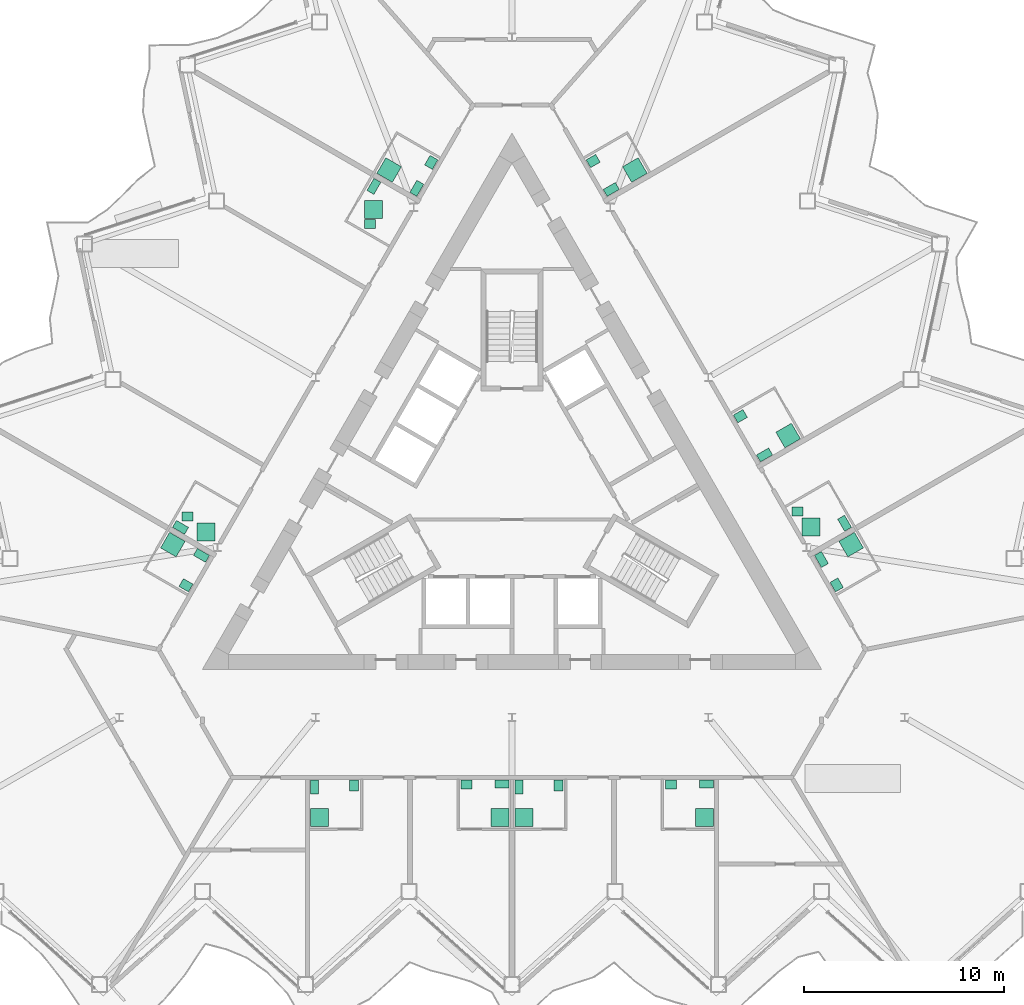
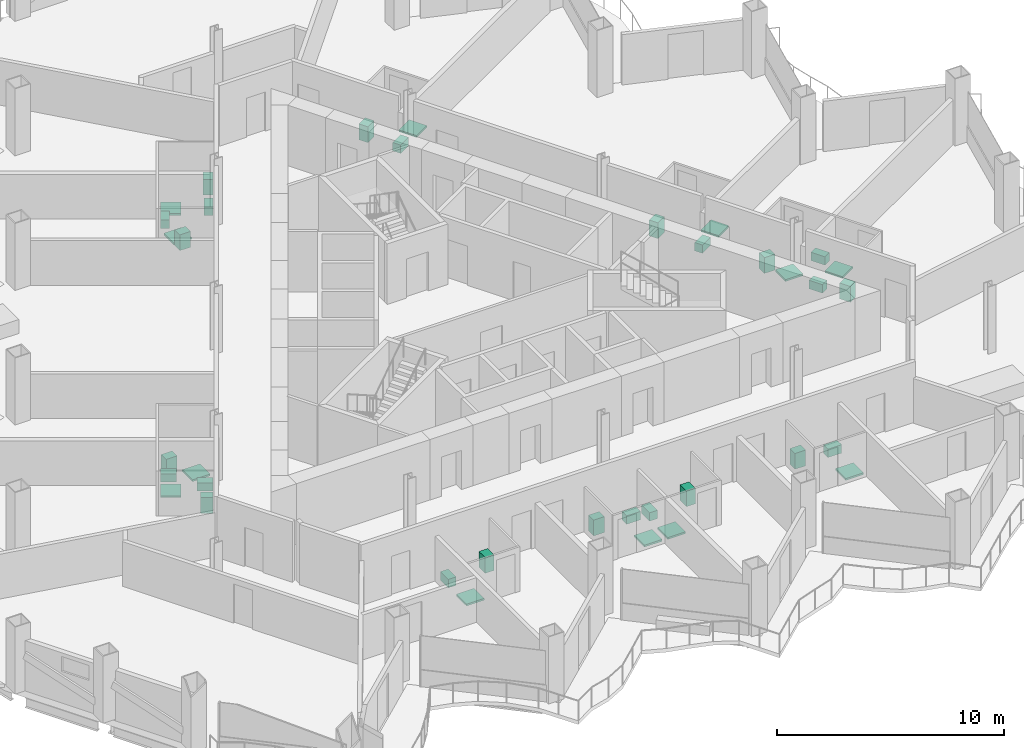
# One storey, part 22 of 23: 36 sanitary terminals.
"""IFC4 building model written with IfcOpenShell, lengths in metres."""

from ifc_helpers import new_model, si_unit, direction, frame, origin, origin_2d, place, context, subcontext, project, spatial, rectangle, extrude, material, type_object, element, save


model = new_model("IFC4")

# Units and contexts
model_context = context("Model", 3, precision=1e-05, world=origin(), true_north=direction((0.0, 1.0)))
body_context = subcontext(model_context, "Body", "Model", "MODEL_VIEW")
ifc_project = project(units=[si_unit("LENGTHUNIT", "METRE"), si_unit("AREAUNIT", "SQUARE_METRE"), si_unit("VOLUMEUNIT", "CUBIC_METRE"), si_unit("PLANEANGLEUNIT", "RADIAN"), si_unit("MASSUNIT", "GRAM", prefix="KILO")], contexts=[model_context])

# Site, building, storey
site_placement = place(None, origin())
site = spatial("IfcSite", under=ifc_project, at=site_placement, CompositionType="ELEMENT")
building_placement = place(site_placement, origin())
building = spatial("IfcBuilding", under=site, at=building_placement, Name="Cormorant Prow Tower", CompositionType="ELEMENT")
storey_placement = place(building_placement, frame((0.0, 0.0, 172.800048828125)))
storey = spatial("IfcBuildingStorey", under=building, at=storey_placement, Name="L36", CompositionType="ELEMENT", Elevation=172.800048828125)

# Sanitary terminals
ifc_material_1 = material(Name="Vitreous china")
sanitary_terminal_type_1 = type_object("IfcSanitaryTerminalType", Name="Shower tray 900x900", PredefinedType="SHOWER", material=ifc_material_1)
for number, where, z_axis, x_axis, name in (
    (1, (-9.636474609375, -16.35400390625, 0.0), (0.0, 0.0, 1.0), (0.0, 1.0, 0.0), "Shower tray"),
    (2, (-0.594970703125, -16.35400390625, 0.0), (0.0, 0.0, 1.0), (-1.0, 0.0, 0.0), "Shower tray"),
    (3, (0.594970703125, -16.35400390625, 0.0), (0.0, 0.0, 1.0), (0.0, 1.0, 0.0), "Shower tray"),
    (4, (9.636474609375, -16.35400390625, 0.0), (0.0, 0.0, 1.0), (-1.0, 0.0, 0.0), "Shower tray"),
    (5, (16.97802734375, -2.698974609375, 0.0), (0.0, 0.0, 1.0), (0.5, -0.866025403784, 0.0), "Shower tray"),
    (6, (14.973876953125, -1.806396484375, 0.0), (0.0, 0.0, 1.0), (1.0, 0.0, 0.0), "Shower tray"),
    (7, (13.8251953125, 2.761962890625, 0.0), (0.0, 0.0, 1.0), (-0.866025403784, -0.5, 0.0), "Shower tray"),
    (8, (6.151611328125, 16.052978515625, 0.0), (0.0, 0.0, 1.0), (-0.866025403784, -0.5, 0.0), "Shower tray"),
    (9, (-6.151611328125, 16.052978515625, 0.0), (0.0, 0.0, 1.0), (0.5, 0.866025403784, 0.0), "Shower tray"),
    (10, (-6.934814453125, 14.07666015625, 0.0), (0.0, 0.0, 1.0), (1.0, 0.0, 0.0), "Shower tray"),
    (11, (-15.316162109375, -2.056396484375, 0.0), (0.0, 0.0, 1.0), (1.0, 0.0, 0.0), "Shower tray"),
    (12, (-16.97802734375, -2.698974609375, 0.0), (0.0, 0.0, 1.0), (0.866025403784, -0.5, 0.0), "Shower tray"),
):
    element("IfcSanitaryTerminal", number, at=place(storey_placement, frame(where, z_axis=z_axis, x_axis=x_axis)), inside=storey, type_object=sanitary_terminal_type_1, Name=name, PredefinedType="SHOWER", context=body_context, shape_type="SweptSolid", body=[
        extrude(rectangle(XDim=0.89990234375, YDim=0.89990234375, at=origin_2d()), origin(), (0.0, 0.0, 1.0), 0.10009765625),
    ])
ifc_material_2 = material(Name="Vitreous china")
sanitary_terminal_type_2 = type_object("IfcSanitaryTerminalType", Name="Wash basin 550x450", PredefinedType="WASHHANDBASIN", material=ifc_material_2)
for number, where, z_axis, x_axis, name in (
    (13, (-7.9013671875, -14.768798828125, 0.0), (0.0, 0.0, 1.0), (0.0, -1.0, 0.0), "Wash basin"),
    (14, (-2.280029296875, -14.718994140625, 0.0), (0.0, 0.0, 1.0), (1.0, 0.0, 0.0), "Wash basin"),
    (15, (2.330078125, -14.768798828125, 0.0), (0.0, 0.0, 1.0), (0.0, -1.0, 0.0), "Wash basin"),
    (16, (7.951416015625, -14.718994140625, 0.0), (0.0, 0.0, 1.0), (1.0, 0.0, 0.0), "Wash basin"),
    (17, (16.254638671875, -4.7158203125, 0.0), (0.0, 0.0, 1.0), (-0.5, 0.866025403784, 0.0), "Wash basin"),
    (18, (14.298828125, -1.031494140625, 0.0), (0.0, 0.0, 1.0), (1.0, 0.0, 0.0), "Wash basin"),
    (19, (11.43505859375, 3.731689453125, 0.0), (0.0, 0.0, 1.0), (0.866025403784, 0.5, 0.0), "Wash basin"),
    (20, (4.0615234375, 16.503173828125, 0.0), (0.0, 0.0, 1.0), (0.866025403784, 0.5, 0.0), "Wash basin"),
    (21, (-4.043212890625, 16.434814453125, 0.0), (0.0, 0.0, 1.0), (-0.5, -0.866025403784, 0.0), "Wash basin"),
    (22, (-7.109619140625, 13.3515625, 0.0), (0.0, 0.0, 1.0), (1.0, 0.0, 0.0), "Wash basin"),
    (23, (-16.2412109375, -1.281494140625, 0.0), (0.0, 0.0, 1.0), (1.0, 0.0, 0.0), "Wash basin"),
    (24, (-16.322998046875, -4.734130859375, 0.0), (0.0, 0.0, 1.0), (-0.866025403784, 0.5, 0.0), "Wash basin"),
):
    element("IfcSanitaryTerminal", number, at=place(storey_placement, frame(where, z_axis=z_axis, x_axis=x_axis)), inside=storey, type_object=sanitary_terminal_type_2, Name=name, PredefinedType="WASHHANDBASIN", context=body_context, shape_type="SweptSolid", body=[
        extrude(rectangle(XDim=0.550048828125, YDim=0.449951171875, at=origin_2d()), origin(), (0.0, 0.0, 1.0), 0.85009765625),
    ])
ifc_material_3 = material(Name="Vitreous china")
sanitary_terminal_type_3 = type_object("IfcSanitaryTerminalType", Name="Water closet 400x700", PredefinedType="WCSEAT", material=ifc_material_3)
for number, where, z_axis, x_axis, name in (
    (25, (-9.886474609375, -14.843994140625, 0.0), (0.0, 0.0, 1.0), (1.0, 0.0, 0.0), "Water closet"),
    (26, (-0.4951171875, -14.69384765625, 0.0), (0.0, 0.0, 1.0), (0.0, -1.0, 0.0), "Water closet"),
    (27, (0.344970703125, -14.843994140625, 0.0), (0.0, 0.0, 1.0), (1.0, 0.0, 0.0), "Water closet"),
    (28, (9.736328125, -14.69384765625, 0.0), (0.0, 0.0, 1.0), (0.0, -1.0, 0.0), "Water closet"),
    (29, (15.490478515625, -3.4423828125, 0.0), (0.0, 0.0, 1.0), (0.866025403784, 0.5, 0.0), "Water closet"),
    (30, (16.649658203125, -1.6298828125, 0.0), (0.0, 0.0, 1.0), (-0.866025403784, -0.5, 0.0), "Water closet"),
    (31, (12.642578125, 1.790283203125, 0.0), (0.0, 0.0, 1.0), (-0.5, 0.866025403784, 0.0), "Water closet"),
    (32, (4.968994140625, 15.081298828125, 0.0), (0.0, 0.0, 1.0), (-0.5, 0.866025403784, 0.0), "Water closet"),
    (33, (-4.763916015625, 15.13623046875, 0.0), (0.0, 0.0, 1.0), (-0.866025403784, 0.5, 0.0), "Water closet"),
    (34, (-6.9130859375, 15.23388671875, 0.0), (0.0, 0.0, 1.0), (0.866025403784, -0.5, 0.0), "Water closet"),
    (35, (-16.594482421875, -1.8349609375, 0.0), (0.0, 0.0, 1.0), (0.5, 0.866025403784, 0.0), "Water closet"),
    (36, (-15.54541015625, -3.237548828125, 0.0), (0.0, 0.0, 1.0), (-0.5, -0.866025403784, 0.0), "Water closet"),
):
    element("IfcSanitaryTerminal", number, at=place(storey_placement, frame(where, z_axis=z_axis, x_axis=x_axis)), inside=storey, type_object=sanitary_terminal_type_3, Name=name, PredefinedType="WCSEAT", context=body_context, shape_type="SweptSolid", body=[
        extrude(rectangle(XDim=0.39990234375, YDim=0.699951171875, at=origin_2d()), origin(), (0.0, 0.0, 1.0), 0.449951171875),
    ])

save(model, "model.ifc")
